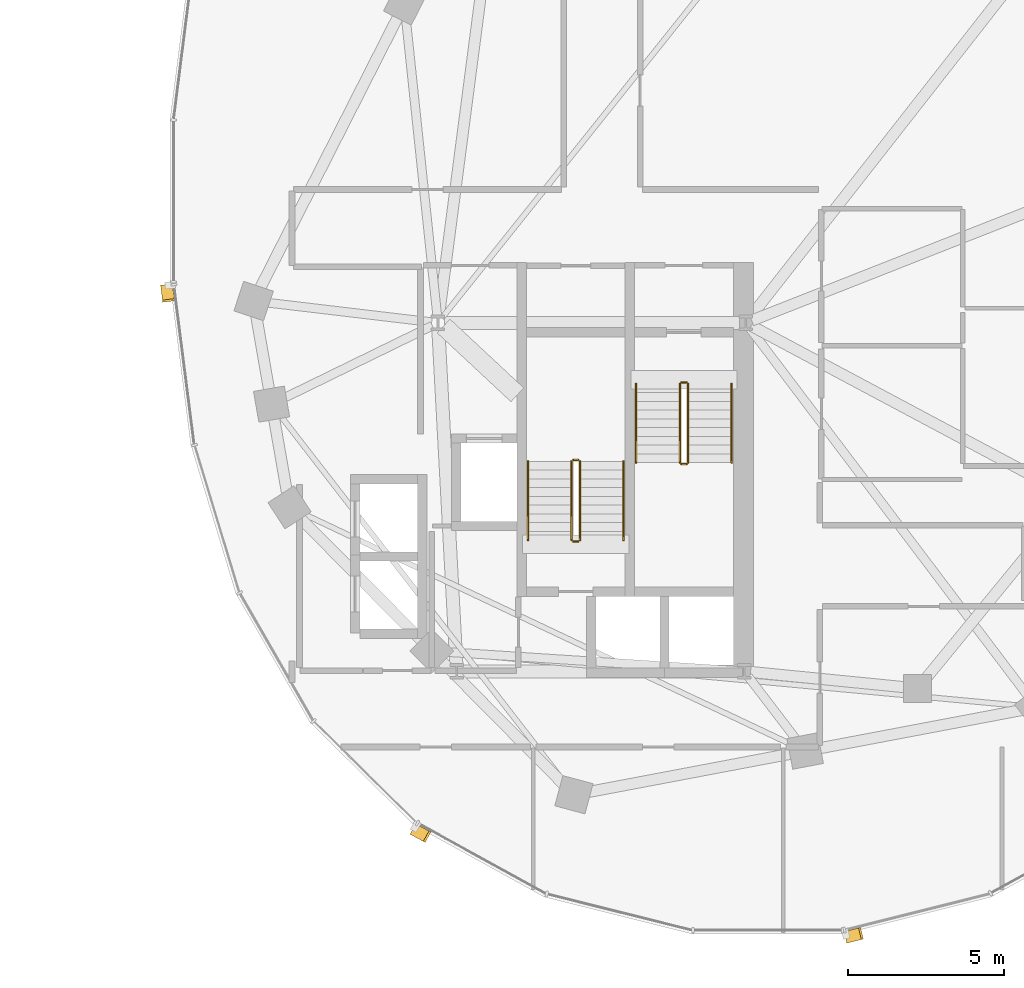
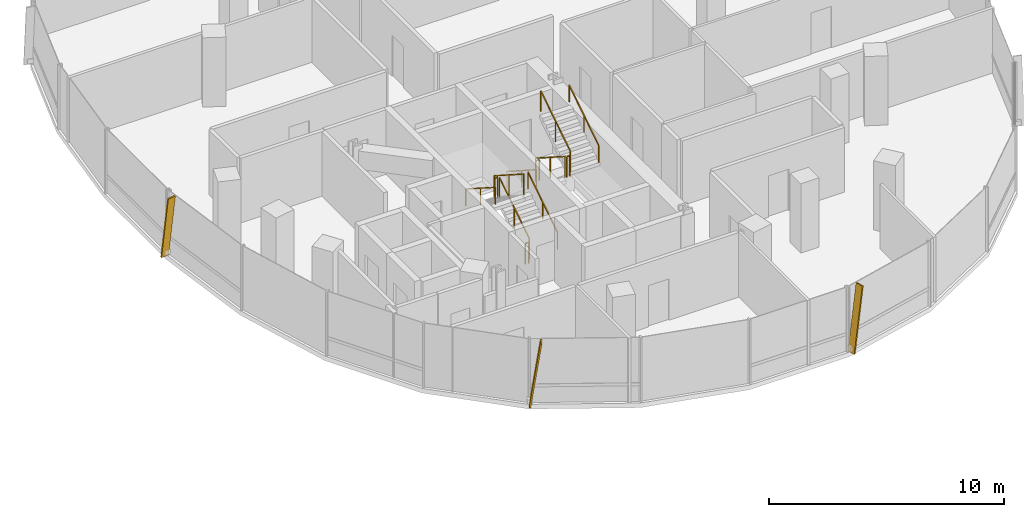
# One storey, part 22 of 23: 12 railings, 3 shading devices.
"""IFC4 building model written with IfcOpenShell, lengths in metres."""

from ifc_helpers import new_model, si_unit, direction, frame, origin, origin_2d, place, context, subcontext, project, spatial, rectangle, extrude, material, material_profile, profile_set, type_object, element, save


model = new_model("IFC4")

# Units and contexts
model_context = context("Model", 3, precision=1e-05, world=origin(), true_north=direction((0.0, 1.0)))
body_context = subcontext(model_context, "Body", "Model", "MODEL_VIEW")
ifc_project = project(units=[si_unit("LENGTHUNIT", "METRE"), si_unit("AREAUNIT", "SQUARE_METRE"), si_unit("VOLUMEUNIT", "CUBIC_METRE"), si_unit("PLANEANGLEUNIT", "RADIAN"), si_unit("MASSUNIT", "GRAM", prefix="KILO"), si_unit("THERMODYNAMICTEMPERATUREUNIT", "KELVIN"), si_unit("POWERUNIT", "WATT")], contexts=[model_context])

# Site, building, storey
site_placement = place(None, origin())
site = spatial("IfcSite", under=ifc_project, at=site_placement, CompositionType="ELEMENT")
building_placement = place(site_placement, origin())
building = spatial("IfcBuilding", under=site, at=building_placement, Name="Cundina Bronze Exchange", CompositionType="ELEMENT")
storey_placement = place(building_placement, frame((0.0, 0.0, 176.39990234375)))
storey = spatial("IfcBuildingStorey", under=building, at=storey_placement, Name="L46", CompositionType="ELEMENT", Elevation=176.39990234375)

# Railings
ifc_material_1 = material(Name="Steel ASTM A36 Painted", Category="steel")
railing_type_1 = type_object("IfcRailingType", Name="RLG-HND-900", PredefinedType="HANDRAIL", material=ifc_material_1)
railing_1_placement = place(storey_placement, frame((27.7900390625, -5.85009765625, 0.18017578125)))
element("IfcRailing", 1, at=railing_1_placement, inside=storey, type_object=railing_type_1, Name="L46 ST-E1 stair handrail 1", PredefinedType="HANDRAIL", context=body_context, shape_type="SweptSolid", body=[
    extrude(rectangle(XDim=0.048095703125, YDim=0.048095703125, at=origin_2d()), frame((0.0, 0.0, 0.8759765625), z_axis=(0.0, -0.841199657755, 0.540724639528), x_axis=(1.0, 0.0, 0.0)), (0.0, 0.0, 1.0), 2.995849609375),
    extrude(rectangle(XDim=0.0419921875, YDim=0.0419921875, at=origin_2d()), origin(), (0.0, 0.0, 1.0), 0.851806640625),
    extrude(rectangle(XDim=0.0419921875, YDim=0.0419921875, at=origin_2d()), frame((0.0, -1.260009765625, 0.81005859375)), (0.0, 0.0, 1.0), 0.851806640625),
    extrude(rectangle(XDim=0.0419921875, YDim=0.0419921875, at=origin_2d()), frame((0.0, -2.52001953125, 1.619873046875)), (0.0, 0.0, 1.0), 0.851806640625),
])
railing_2_placement = place(storey_placement, frame((30.85009765625, -8.3701171875, 1.97998046875)))
element("IfcRailing", 2, at=railing_2_placement, inside=storey, type_object=railing_type_1, Name="L46 ST-E1 stair handrail 2", PredefinedType="HANDRAIL", context=body_context, shape_type="SweptSolid", body=[
    extrude(rectangle(XDim=0.048095703125, YDim=0.048095703125, at=origin_2d()), frame((0.0, 0.0, 0.8759765625), z_axis=(0.0, 0.841162588446, 0.540782303519), x_axis=(-1.0, 0.0, 0.0)), (0.0, 0.0, 1.0), 2.995849609375),
    extrude(rectangle(XDim=0.0419921875, YDim=0.0419921875, at=origin_2d()), origin(), (0.0, 0.0, 1.0), 0.851806640625),
    extrude(rectangle(XDim=0.0419921875, YDim=0.0419921875, at=origin_2d()), frame((0.0, 1.260009765625, 0.81005859375)), (0.0, 0.0, 1.0), 0.851806640625),
    extrude(rectangle(XDim=0.0419921875, YDim=0.0419921875, at=origin_2d()), frame((0.0, 2.52001953125, 1.6201171875)), (0.0, 0.0, 1.0), 0.851806640625),
])
railing_3_placement = place(storey_placement, frame((27.389892578125, -10.85009765625, 0.18017578125)))
element("IfcRailing", 3, at=railing_3_placement, inside=storey, type_object=railing_type_1, Name="L46 ST-E2 stair handrail 1", PredefinedType="HANDRAIL", context=body_context, shape_type="SweptSolid", body=[
    extrude(rectangle(XDim=0.048095703125, YDim=0.048095703125, at=origin_2d()), frame((0.0, 0.0, 0.8759765625), z_axis=(0.0, 0.841199657755, 0.540724639528), x_axis=(-1.0, 0.0, 0.0)), (0.0, 0.0, 1.0), 2.995849609375),
    extrude(rectangle(XDim=0.0419921875, YDim=0.0419921875, at=origin_2d()), origin(), (0.0, 0.0, 1.0), 0.851806640625),
    extrude(rectangle(XDim=0.0419921875, YDim=0.0419921875, at=origin_2d()), frame((0.0, 1.260009765625, 0.81005859375)), (0.0, 0.0, 1.0), 0.851806640625),
    extrude(rectangle(XDim=0.0419921875, YDim=0.0419921875, at=origin_2d()), frame((0.0, 2.52001953125, 1.619873046875)), (0.0, 0.0, 1.0), 0.851806640625),
])
railing_4_placement = place(storey_placement, frame((24.330078125, -8.330078125, 1.97998046875)))
element("IfcRailing", 4, at=railing_4_placement, inside=storey, type_object=railing_type_1, Name="L46 ST-E2 stair handrail 2", PredefinedType="HANDRAIL", context=body_context, shape_type="SweptSolid", body=[
    extrude(rectangle(XDim=0.048095703125, YDim=0.048095703125, at=origin_2d()), frame((0.0, 0.0, 0.8759765625), z_axis=(0.0, -0.841162588446, 0.540782303519), x_axis=(1.0, 0.0, 0.0)), (0.0, 0.0, 1.0), 2.995849609375),
    extrude(rectangle(XDim=0.0419921875, YDim=0.0419921875, at=origin_2d()), origin(), (0.0, 0.0, 1.0), 0.851806640625),
    extrude(rectangle(XDim=0.0419921875, YDim=0.0419921875, at=origin_2d()), frame((0.0, -1.260009765625, 0.81005859375)), (0.0, 0.0, 1.0), 0.851806640625),
    extrude(rectangle(XDim=0.0419921875, YDim=0.0419921875, at=origin_2d()), frame((0.0, -2.52001953125, 1.6201171875)), (0.0, 0.0, 1.0), 0.851806640625),
])
railing_type_2 = type_object("IfcRailingType", Name="RLG-STG-1100", PredefinedType="GUARDRAIL", material=ifc_material_1)
railing_5_placement = place(storey_placement, frame((29.18994140625, -5.85009765625, 0.18017578125)))
element("IfcRailing", 5, at=railing_5_placement, inside=storey, type_object=railing_type_2, Name="L46 ST-E1 stair guard 1", PredefinedType="GUARDRAIL", context=body_context, shape_type="SweptSolid", body=[
    extrude(rectangle(XDim=0.048095703125, YDim=0.048095703125, at=origin_2d()), frame((0.0, 0.0, 1.076171875), z_axis=(0.0, -0.841199657755, 0.540724639528), x_axis=(1.0, 0.0, 0.0)), (0.0, 0.0, 1.0), 2.995849609375),
    extrude(rectangle(XDim=0.0419921875, YDim=0.0419921875, at=origin_2d()), origin(), (0.0, 0.0, 1.0), 1.052001953125),
    extrude(rectangle(XDim=0.0419921875, YDim=0.0419921875, at=origin_2d()), frame((0.0, -1.260009765625, 0.81005859375)), (0.0, 0.0, 1.0), 1.052001953125),
    extrude(rectangle(XDim=0.0419921875, YDim=0.0419921875, at=origin_2d()), frame((0.0, -2.52001953125, 1.619873046875)), (0.0, 0.0, 1.0), 1.052001953125),
])
railing_6_placement = place(storey_placement, frame((29.239990234375, -8.419921875, 1.800048828125)))
element("IfcRailing", 6, at=railing_6_placement, inside=storey, type_object=railing_type_2, Name="L46 ST-E1 stair guard 2", PredefinedType="GUARDRAIL", context=body_context, shape_type="SweptSolid", body=[
    extrude(rectangle(XDim=0.048095703125, YDim=0.048095703125, at=origin_2d()), frame((0.0, 0.0, 1.076171875), z_axis=(1.0, 0.0, 0.0), x_axis=(0.0, 1.0, 0.0)), (0.0, 0.0, 1.0), 0.159912109375),
    extrude(rectangle(XDim=0.0419921875, YDim=0.0419921875, at=origin_2d()), origin(), (0.0, 0.0, 1.0), 1.052001953125),
    extrude(rectangle(XDim=0.0419921875, YDim=0.0419921875, at=origin_2d()), frame((0.159912109375, 0.0, 0.0)), (0.0, 0.0, 1.0), 1.052001953125),
])
railing_7_placement = place(storey_placement, frame((29.449951171875, -8.3701171875, 1.97998046875)))
element("IfcRailing", 7, at=railing_7_placement, inside=storey, type_object=railing_type_2, Name="L46 ST-E1 stair guard 3", PredefinedType="GUARDRAIL", context=body_context, shape_type="SweptSolid", body=[
    extrude(rectangle(XDim=0.048095703125, YDim=0.048095703125, at=origin_2d()), frame((0.0, 0.0, 1.076171875), z_axis=(0.0, 0.841162588446, 0.540782303519), x_axis=(-1.0, 0.0, 0.0)), (0.0, 0.0, 1.0), 2.995849609375),
    extrude(rectangle(XDim=0.0419921875, YDim=0.0419921875, at=origin_2d()), origin(), (0.0, 0.0, 1.0), 1.052001953125),
    extrude(rectangle(XDim=0.0419921875, YDim=0.0419921875, at=origin_2d()), frame((0.0, 1.260009765625, 0.81005859375)), (0.0, 0.0, 1.0), 1.052001953125),
    extrude(rectangle(XDim=0.0419921875, YDim=0.0419921875, at=origin_2d()), frame((0.0, 2.52001953125, 1.6201171875)), (0.0, 0.0, 1.0), 1.052001953125),
])
railing_8_placement = place(storey_placement, frame((29.239990234375, -5.800048828125, 0.0)))
element("IfcRailing", 8, at=railing_8_placement, inside=storey, type_object=railing_type_2, Name="L46 ST-E1 stair guard 4", PredefinedType="GUARDRAIL", context=body_context, shape_type="SweptSolid", body=[
    extrude(rectangle(XDim=0.048095703125, YDim=0.048095703125, at=origin_2d()), frame((0.0, 0.0, 1.076171875), z_axis=(1.0, 0.0, 0.0), x_axis=(0.0, 1.0, 0.0)), (0.0, 0.0, 1.0), 0.159912109375),
    extrude(rectangle(XDim=0.0419921875, YDim=0.0419921875, at=origin_2d()), origin(), (0.0, 0.0, 1.0), 1.052001953125),
    extrude(rectangle(XDim=0.0419921875, YDim=0.0419921875, at=origin_2d()), frame((0.159912109375, 0.0, 0.0)), (0.0, 0.0, 1.0), 1.052001953125),
])
railing_9_placement = place(storey_placement, frame((25.989990234375, -10.85009765625, 0.18017578125)))
element("IfcRailing", 9, at=railing_9_placement, inside=storey, type_object=railing_type_2, Name="L46 ST-E2 stair guard 1", PredefinedType="GUARDRAIL", context=body_context, shape_type="SweptSolid", body=[
    extrude(rectangle(XDim=0.048095703125, YDim=0.048095703125, at=origin_2d()), frame((0.0, 0.0, 1.076171875), z_axis=(0.0, 0.841199657755, 0.540724639528), x_axis=(-1.0, 0.0, 0.0)), (0.0, 0.0, 1.0), 2.995849609375),
    extrude(rectangle(XDim=0.0419921875, YDim=0.0419921875, at=origin_2d()), origin(), (0.0, 0.0, 1.0), 1.052001953125),
    extrude(rectangle(XDim=0.0419921875, YDim=0.0419921875, at=origin_2d()), frame((0.0, 1.260009765625, 0.81005859375)), (0.0, 0.0, 1.0), 1.052001953125),
    extrude(rectangle(XDim=0.0419921875, YDim=0.0419921875, at=origin_2d()), frame((0.0, 2.52001953125, 1.619873046875)), (0.0, 0.0, 1.0), 1.052001953125),
])
railing_10_placement = place(storey_placement, frame((25.93994140625, -8.280029296875, 1.800048828125)))
element("IfcRailing", 10, at=railing_10_placement, inside=storey, type_object=railing_type_2, Name="L46 ST-E2 stair guard 2", PredefinedType="GUARDRAIL", context=body_context, shape_type="SweptSolid", body=[
    extrude(rectangle(XDim=0.048095703125, YDim=0.048095703125, at=origin_2d()), frame((0.0, 0.0, 1.076171875), z_axis=(-1.0, 0.0, 0.0), x_axis=(0.0, -1.0, 0.0)), (0.0, 0.0, 1.0), 0.159912109375),
    extrude(rectangle(XDim=0.0419921875, YDim=0.0419921875, at=origin_2d()), origin(), (0.0, 0.0, 1.0), 1.052001953125),
    extrude(rectangle(XDim=0.0419921875, YDim=0.0419921875, at=origin_2d()), frame((-0.159912109375, 0.0, 0.0)), (0.0, 0.0, 1.0), 1.052001953125),
])
railing_11_placement = place(storey_placement, frame((25.72998046875, -8.330078125, 1.97998046875)))
element("IfcRailing", 11, at=railing_11_placement, inside=storey, type_object=railing_type_2, Name="L46 ST-E2 stair guard 3", PredefinedType="GUARDRAIL", context=body_context, shape_type="SweptSolid", body=[
    extrude(rectangle(XDim=0.048095703125, YDim=0.048095703125, at=origin_2d()), frame((0.0, 0.0, 1.076171875), z_axis=(0.0, -0.841162588446, 0.540782303519), x_axis=(1.0, 0.0, 0.0)), (0.0, 0.0, 1.0), 2.995849609375),
    extrude(rectangle(XDim=0.0419921875, YDim=0.0419921875, at=origin_2d()), origin(), (0.0, 0.0, 1.0), 1.052001953125),
    extrude(rectangle(XDim=0.0419921875, YDim=0.0419921875, at=origin_2d()), frame((0.0, -1.260009765625, 0.81005859375)), (0.0, 0.0, 1.0), 1.052001953125),
    extrude(rectangle(XDim=0.0419921875, YDim=0.0419921875, at=origin_2d()), frame((0.0, -2.52001953125, 1.6201171875)), (0.0, 0.0, 1.0), 1.052001953125),
])
railing_12_placement = place(storey_placement, frame((25.93994140625, -10.89990234375, 0.0)))
element("IfcRailing", 12, at=railing_12_placement, inside=storey, type_object=railing_type_2, Name="L46 ST-E2 stair guard 4", PredefinedType="GUARDRAIL", context=body_context, shape_type="SweptSolid", body=[
    extrude(rectangle(XDim=0.048095703125, YDim=0.048095703125, at=origin_2d()), frame((0.0, 0.0, 1.076171875), z_axis=(-1.0, 0.0, 0.0), x_axis=(0.0, -1.0, 0.0)), (0.0, 0.0, 1.0), 0.159912109375),
    extrude(rectangle(XDim=0.0419921875, YDim=0.0419921875, at=origin_2d()), origin(), (0.0, 0.0, 1.0), 1.052001953125),
    extrude(rectangle(XDim=0.0419921875, YDim=0.0419921875, at=origin_2d()), frame((-0.159912109375, 0.0, 0.0)), (0.0, 0.0, 1.0), 1.052001953125),
])

# Shading devices
ifc_material_2 = material(Name="Anodised Bronze Aluminium 6063-T6", Category="aluminium")
ifc_material_profile = material_profile(ifc_material_2, rectangle(XDim=0.070068359375, YDim=0.3798828125, at=origin_2d()), Name="FIN70X380", Category="aluminium")
ifc_profile_set = profile_set([ifc_material_profile], Name="Anodised Bronze Aluminium 6063-T6")
shading_device_type = type_object("IfcShadingDeviceType", Name="SHD-FIN-BRZ380", PredefinedType="USERDEFINED", material=ifc_profile_set)
for number, where, z_axis, x_axis, name in (
    (13, (12.76513671875, -2.705810546875, 0.02001953125), (0.018121805099, -0.141917750773, 0.989712560391), (-0.125360789044, 0.981741119016, 0.143070080046), "L46 Diagonal Bronze Solar Fin 1"),
    (14, (20.679931640625, -20.11181640625, 0.02001953125), (0.125324460949, -0.068993954111, 0.989713905017), (-0.867011652888, 0.477309551067, 0.143060778049), "L46 Diagonal Bronze Solar Fin 5"),
    (15, (34.51953125, -23.556396484375, 0.02001953125), (0.138788401144, 0.034715294885, 0.989713407007), (-0.960133415413, -0.240159223467, 0.14306422331), "L46 Diagonal Bronze Solar Fin 1"),
):
    element("IfcShadingDevice", number, at=place(storey_placement, frame(where, z_axis=z_axis, x_axis=x_axis)), inside=storey, type_object=shading_device_type, Name=name, ObjectType="FIN", PredefinedType="USERDEFINED", context=body_context, shape_type="SweptSolid", body=[
        extrude(rectangle(XDim=0.070068359375, YDim=0.3798828125, at=origin_2d()), origin(), (0.0, 0.0, 1.0), 3.3544921875),
    ])

save(model, "model.ifc")
